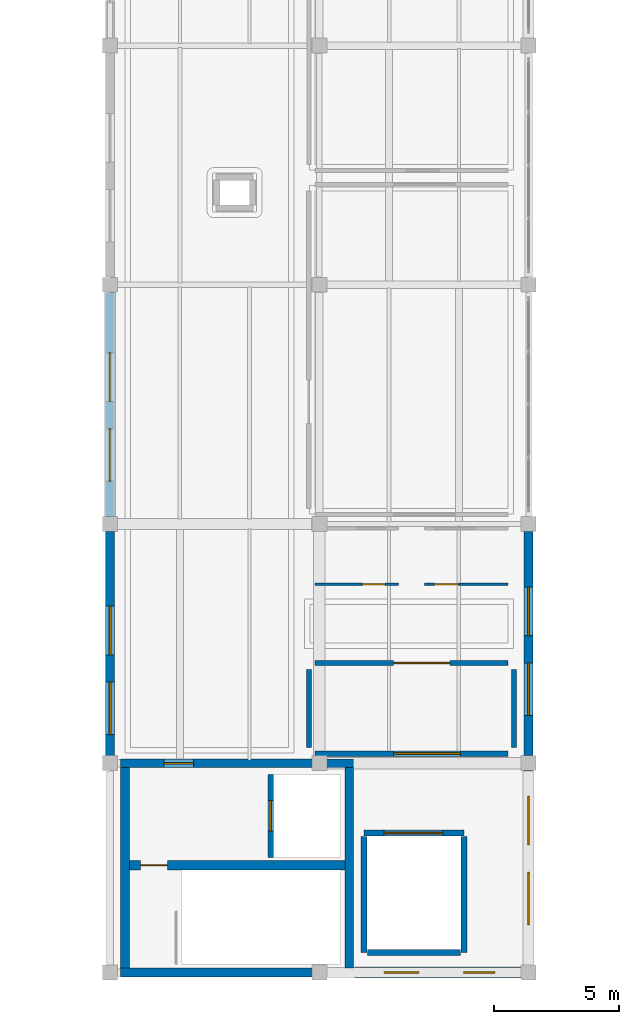
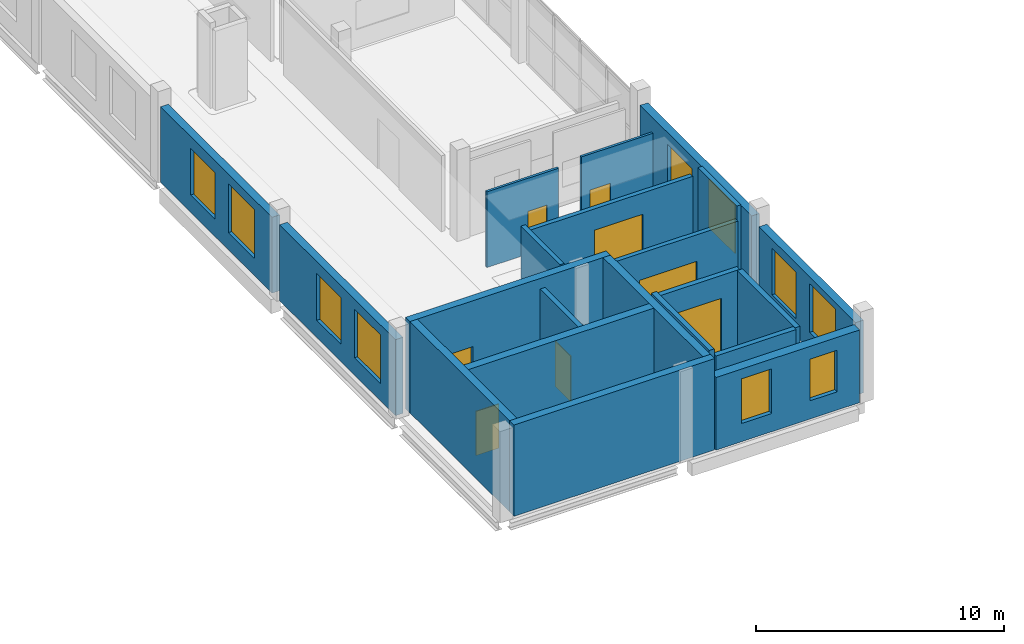
# One storey, part 49 of 54: 21 walls, 11 windows, 7 doors, 18 openings.
"""IFC4 building model written with IfcOpenShell, lengths in metres."""

from ifc_helpers import new_model, si_unit, direction, frame, frame_2d, origin, place, context, subcontext, project, spatial, rectangle, extrude, material, layer, layer_set, type_object, element, fill, save


model = new_model("IFC4")

# Units and contexts
model_context = context("Model", 3, precision=1e-05, world=origin(), true_north=direction((0.0, 1.0)))
body_context = subcontext(model_context, "Body", "Model", "MODEL_VIEW")
ifc_project = project(units=[si_unit("LENGTHUNIT", "METRE"), si_unit("AREAUNIT", "SQUARE_METRE"), si_unit("VOLUMEUNIT", "CUBIC_METRE"), si_unit("PLANEANGLEUNIT", "RADIAN"), si_unit("MASSUNIT", "GRAM", prefix="KILO")], contexts=[model_context])

# Site, building, storey
site_placement = place(None, origin())
site = spatial("IfcSite", under=ifc_project, at=site_placement, CompositionType="ELEMENT")
building_placement = place(site_placement, origin())
building = spatial("IfcBuilding", under=site, at=building_placement, Name="Zulmaris Art Gallery", CompositionType="ELEMENT")
storey_placement = place(building_placement, frame((0.0, 0.0, 26.39990234375)))
storey = spatial("IfcBuildingStorey", under=building, at=storey_placement, Name="L05", CompositionType="ELEMENT", Elevation=26.39990234375)

# Wall, openings, windows
ifc_material_1 = material(Name="Omani Cream Limestone Ashlar Masonry", Category="masonry")
ifc_layer_1 = layer(ifc_material_1, 0.43994140625)
ifc_layer_set_1 = layer_set([ifc_layer_1], Name="Omani Cream Limestone Ashlar Masonry")
wall_type_1 = type_object("IfcWallType", Name="ENV-WALL-EW01", PredefinedType="SOLIDWALL", material=ifc_layer_set_1)
wall_1_placement = place(storey_placement, frame((151.412109375, 13.199951171875, 0.0), z_axis=(0.0, 0.0, 1.0), x_axis=(1.0, 0.0, 0.0)))
wall_1 = element("IfcWall", 1, at=wall_1_placement, inside=storey, type_object=wall_type_1, Name="L05 V5 South Facade Bay 1", PredefinedType="SOLIDWALL", context=body_context, shape_type="SweptSolid", body=[
    extrude(rectangle(XDim=6.685791015625, YDim=0.43994140625, at=frame_2d((3.3427734375, 0.0))), origin(), (0.0, 0.0, 1.0), 3.580078125),
])
opening_1_placement = place(wall_1_placement, frame((1.18798828125, 0.0, 0.89990234375)))
opening_1 = element("IfcOpeningElement", 2, at=opening_1_placement, cuts=wall_1, Name="Opening W04", PredefinedType="OPENING", context=body_context, shape_type="SweptSolid", body=[
    extrude(rectangle(XDim=1.39990234375, YDim=2.199951171875, at=frame_2d((0.699951171875, 1.10009765625))), frame((0.0, 0.22998046875, 0.0), z_axis=(0.0, -1.0, 0.0), x_axis=(1.0, 0.0, 0.0)), (0.0, 0.0, 1.0), 0.4599609375),
])
opening_2_placement = place(wall_1_placement, frame((4.387939453125, 0.0, 0.89990234375)))
opening_2 = element("IfcOpeningElement", 3, at=opening_2_placement, cuts=wall_1, Name="Opening W10", PredefinedType="OPENING", context=body_context, shape_type="SweptSolid", body=[
    extrude(rectangle(XDim=1.25, YDim=2.050048828125, at=frame_2d((0.625, 1.02490234375))), frame((0.0, 0.22998046875, 0.0), z_axis=(0.0, -1.0, 0.0), x_axis=(1.0, 0.0, 0.0)), (0.0, 0.0, 1.0), 0.4599609375),
])
ifc_material_2 = material(Name="Deep-Reveal Limestone Slot Window", Category="masonry")
window_type_1 = type_object("IfcWindowType", Name="WIN-W04", PartitioningType="SINGLE_PANEL", PredefinedType="WINDOW", material=ifc_material_2)
window_1_placement = place(opening_1_placement, origin())
window_1 = element("IfcWindow", 4, at=window_1_placement, inside=storey, type_object=window_type_1, Name="L05 exterior window W04", OverallHeight=2.199951171875, OverallWidth=1.39990234375, PartitioningType="SINGLE_PANEL", PredefinedType="WINDOW", context=body_context, shape_type="SweptSolid", body=[
    extrude(rectangle(XDim=1.39990234375, YDim=2.199951171875, at=frame_2d((0.699951171875, 1.10009765625))), frame((0.0, 0.030029296875, 0.0), z_axis=(0.0, -1.0, 0.0), x_axis=(1.0, 0.0, 0.0)), (0.0, 0.0, 1.0), 0.06005859375),
])
fill(opening_1, window_1)
ifc_material_3 = material(Name="Limestone Deep-Set Lancet Window", Category="masonry")
window_type_2 = type_object("IfcWindowType", Name="WIN-W10", PartitioningType="SINGLE_PANEL", PredefinedType="WINDOW", material=ifc_material_3)
window_2_placement = place(opening_2_placement, origin())
window_2 = element("IfcWindow", 5, at=window_2_placement, inside=storey, type_object=window_type_2, Name="L05 exterior window W10", OverallHeight=2.050048828125, OverallWidth=1.25, PartitioningType="SINGLE_PANEL", PredefinedType="WINDOW", context=body_context, shape_type="SweptSolid", body=[
    extrude(rectangle(XDim=1.25, YDim=2.050048828125, at=frame_2d((0.625, 1.02490234375))), frame((0.0, 0.030029296875, 0.0), z_axis=(0.0, -1.0, 0.0), x_axis=(1.0, 0.0, 0.0)), (0.0, 0.0, 1.0), 0.06005859375),
])
fill(opening_2, window_2)

ifc_material_4 = material(Name="Honed Omani Travertine Insulated Wall", Category="masonry")
ifc_layer_2 = layer(ifc_material_4, 0.360107421875)
ifc_layer_set_2 = layer_set([ifc_layer_2], Name="Honed Omani Travertine Insulated Wall")
wall_type_2 = type_object("IfcWallType", Name="ENV-WALL-EW03", PredefinedType="SOLIDWALL", material=ifc_layer_set_2)
wall_2_placement = place(storey_placement, frame((158.39990234375, 13.501953125, 0.0), z_axis=(0.0, 0.0, 1.0), x_axis=(0.0, 1.0, 0.0)))
wall_2 = element("IfcWall", 6, at=wall_2_placement, inside=storey, type_object=wall_type_2, Name="L05 V5 Stepped East Studio Wall", PredefinedType="SOLIDWALL", context=body_context, shape_type="SweptSolid", body=[
    extrude(rectangle(XDim=7.796142578125, YDim=0.360107421875, at=frame_2d((3.89794921875, 0.0))), origin(), (0.0, 0.0, 1.0), 3.580078125),
])
opening_3_placement = place(wall_2_placement, frame((1.617919921875, 0.0, 0.85009765625)))
opening_3 = element("IfcOpeningElement", 7, at=opening_3_placement, cuts=wall_2, Name="Opening W03", PredefinedType="OPENING", context=body_context, shape_type="SweptSolid", body=[
    extrude(rectangle(XDim=2.10009765625, YDim=2.39990234375, at=frame_2d((1.050048828125, 1.199951171875))), frame((0.0, 0.18994140625, 0.0), z_axis=(0.0, -1.0, 0.0), x_axis=(1.0, 0.0, 0.0)), (0.0, 0.0, 1.0), 0.380126953125),
])
opening_4_placement = place(wall_2_placement, frame((4.818115234375, 0.0, 0.85009765625)))
opening_4 = element("IfcOpeningElement", 8, at=opening_4_placement, cuts=wall_2, Name="Opening W08", PredefinedType="OPENING", context=body_context, shape_type="SweptSolid", body=[
    extrude(rectangle(XDim=1.949951171875, YDim=2.300048828125, at=frame_2d((0.97509765625, 1.14990234375))), frame((0.0, 0.18994140625, 0.0), z_axis=(0.0, -1.0, 0.0), x_axis=(1.0, 0.0, 0.0)), (0.0, 0.0, 1.0), 0.380126953125),
])
ifc_material_5 = material(Name="Double-Glazed Bronze-Framed Studio Window", Category="glass")
window_type_3 = type_object("IfcWindowType", Name="WIN-W03", PartitioningType="SINGLE_PANEL", PredefinedType="WINDOW", material=ifc_material_5)
window_3_placement = place(opening_3_placement, origin())
window_3 = element("IfcWindow", 9, at=window_3_placement, inside=storey, type_object=window_type_3, Name="L05 exterior window W03", OverallHeight=2.39990234375, OverallWidth=2.10009765625, PartitioningType="SINGLE_PANEL", PredefinedType="WINDOW", context=body_context, shape_type="SweptSolid", body=[
    extrude(rectangle(XDim=2.10009765625, YDim=2.39990234375, at=frame_2d((1.050048828125, 1.199951171875))), frame((0.0, 0.030029296875, 0.0), z_axis=(0.0, -1.0, 0.0), x_axis=(1.0, 0.0, 0.0)), (0.0, 0.0, 1.0), 0.06005859375),
])
fill(opening_3, window_3)
ifc_material_6 = material(Name="Curatorial North Studio Window", Category="glass")
window_type_4 = type_object("IfcWindowType", Name="WIN-W08", PartitioningType="SINGLE_PANEL", PredefinedType="WINDOW", material=ifc_material_6)
window_4_placement = place(opening_4_placement, origin())
window_4 = element("IfcWindow", 10, at=window_4_placement, inside=storey, type_object=window_type_4, Name="L05 exterior window W08", OverallHeight=2.300048828125, OverallWidth=1.949951171875, PartitioningType="SINGLE_PANEL", PredefinedType="WINDOW", context=body_context, shape_type="SweptSolid", body=[
    extrude(rectangle(XDim=1.949951171875, YDim=2.300048828125, at=frame_2d((0.97509765625, 1.14990234375))), frame((0.0, 0.030029296875, 0.0), z_axis=(0.0, -1.0, 0.0), x_axis=(1.0, 0.0, 0.0)), (0.0, 0.0, 1.0), 0.06005859375),
])
fill(opening_4, window_4)

wall_3_placement = place(storey_placement, frame((158.39990234375, 21.902099609375, 0.0), z_axis=(0.0, 0.0, 1.0), x_axis=(0.0, 1.0, 0.0)))
wall_3 = element("IfcWall", 11, at=wall_3_placement, inside=storey, type_object=wall_type_2, Name="L05 V5 Stepped East Studio Wall", PredefinedType="SOLIDWALL", context=body_context, shape_type="SweptSolid", body=[
    extrude(rectangle(XDim=8.995849609375, YDim=0.360107421875, at=frame_2d((4.498046875, 0.0))), origin(), (0.0, 0.0, 1.0), 3.739990234375),
])
opening_5_placement = place(wall_3_placement, frame((1.617919921875, 0.0, 0.85009765625)))
opening_5 = element("IfcOpeningElement", 12, at=opening_5_placement, cuts=wall_3, Name="Opening W03", PredefinedType="OPENING", context=body_context, shape_type="SweptSolid", body=[
    extrude(rectangle(XDim=2.10009765625, YDim=2.39990234375, at=frame_2d((1.050048828125, 1.199951171875))), frame((0.0, 0.18994140625, 0.0), z_axis=(0.0, -1.0, 0.0), x_axis=(1.0, 0.0, 0.0)), (0.0, 0.0, 1.0), 0.380126953125),
])
opening_6_placement = place(wall_3_placement, frame((4.818115234375, 0.0, 0.85009765625)))
opening_6 = element("IfcOpeningElement", 13, at=opening_6_placement, cuts=wall_3, Name="Opening W08", PredefinedType="OPENING", context=body_context, shape_type="SweptSolid", body=[
    extrude(rectangle(XDim=1.949951171875, YDim=2.300048828125, at=frame_2d((0.97509765625, 1.14990234375))), frame((0.0, 0.18994140625, 0.0), z_axis=(0.0, -1.0, 0.0), x_axis=(1.0, 0.0, 0.0)), (0.0, 0.0, 1.0), 0.380126953125),
])
window_5_placement = place(opening_5_placement, origin())
window_5 = element("IfcWindow", 14, at=window_5_placement, inside=storey, type_object=window_type_3, Name="L05 exterior window W03", OverallHeight=2.39990234375, OverallWidth=2.10009765625, PartitioningType="SINGLE_PANEL", PredefinedType="WINDOW", context=body_context, shape_type="SweptSolid", body=[
    extrude(rectangle(XDim=2.10009765625, YDim=2.39990234375, at=frame_2d((1.050048828125, 1.199951171875))), frame((0.0, 0.030029296875, 0.0), z_axis=(0.0, -1.0, 0.0), x_axis=(1.0, 0.0, 0.0)), (0.0, 0.0, 1.0), 0.06005859375),
])
fill(opening_5, window_5)
window_6_placement = place(opening_6_placement, origin())
window_6 = element("IfcWindow", 15, at=window_6_placement, inside=storey, type_object=window_type_4, Name="L05 exterior window W08", OverallHeight=2.300048828125, OverallWidth=1.949951171875, PartitioningType="SINGLE_PANEL", PredefinedType="WINDOW", context=body_context, shape_type="SweptSolid", body=[
    extrude(rectangle(XDim=1.949951171875, YDim=2.300048828125, at=frame_2d((0.97509765625, 1.14990234375))), frame((0.0, 0.030029296875, 0.0), z_axis=(0.0, -1.0, 0.0), x_axis=(1.0, 0.0, 0.0)), (0.0, 0.0, 1.0), 0.06005859375),
])
fill(opening_6, window_6)

wall_4_placement = place(storey_placement, frame((141.60009765625, 21.550048828125, 0.0), z_axis=(0.0, 0.0, 1.0), x_axis=(0.0, 1.0, 0.0)))
wall_4 = element("IfcWall", 16, at=wall_4_placement, inside=storey, type_object=wall_type_2, Name="L05 V5 Upper West Overlook Facade", PredefinedType="SOLIDWALL", context=body_context, shape_type="SweptSolid", body=[
    extrude(rectangle(XDim=9.347900390625, YDim=0.360107421875, at=frame_2d((4.673828125, 0.0))), origin(), (0.0, 0.0, 1.0), 3.739990234375),
])
opening_7_placement = place(wall_4_placement, frame((1.199951171875, 0.0, 0.85009765625)))
opening_7 = element("IfcOpeningElement", 17, at=opening_7_placement, cuts=wall_4, Name="Opening W03", PredefinedType="OPENING", context=body_context, shape_type="SweptSolid", body=[
    extrude(rectangle(XDim=2.10009765625, YDim=2.39990234375, at=frame_2d((1.050048828125, 1.199951171875))), frame((0.0, 0.18994140625, 0.0), z_axis=(0.0, -1.0, 0.0), x_axis=(1.0, 0.0, 0.0)), (0.0, 0.0, 1.0), 0.380126953125),
])
opening_8_placement = place(wall_4_placement, frame((4.39990234375, 0.0, 0.85009765625)))
opening_8 = element("IfcOpeningElement", 18, at=opening_8_placement, cuts=wall_4, Name="Opening W08", PredefinedType="OPENING", context=body_context, shape_type="SweptSolid", body=[
    extrude(rectangle(XDim=1.949951171875, YDim=2.300048828125, at=frame_2d((0.97509765625, 1.14990234375))), frame((0.0, 0.18994140625, 0.0), z_axis=(0.0, -1.0, 0.0), x_axis=(1.0, 0.0, 0.0)), (0.0, 0.0, 1.0), 0.380126953125),
])
window_7_placement = place(opening_7_placement, origin())
window_7 = element("IfcWindow", 19, at=window_7_placement, inside=storey, type_object=window_type_3, Name="L05 exterior window W03", OverallHeight=2.39990234375, OverallWidth=2.10009765625, PartitioningType="SINGLE_PANEL", PredefinedType="WINDOW", context=body_context, shape_type="SweptSolid", body=[
    extrude(rectangle(XDim=2.10009765625, YDim=2.39990234375, at=frame_2d((1.050048828125, 1.199951171875))), frame((0.0, 0.030029296875, 0.0), z_axis=(0.0, -1.0, 0.0), x_axis=(1.0, 0.0, 0.0)), (0.0, 0.0, 1.0), 0.06005859375),
])
fill(opening_7, window_7)
window_8_placement = place(opening_8_placement, origin())
window_8 = element("IfcWindow", 20, at=window_8_placement, inside=storey, type_object=window_type_4, Name="L05 exterior window W08", OverallHeight=2.300048828125, OverallWidth=1.949951171875, PartitioningType="SINGLE_PANEL", PredefinedType="WINDOW", context=body_context, shape_type="SweptSolid", body=[
    extrude(rectangle(XDim=1.949951171875, YDim=2.300048828125, at=frame_2d((0.97509765625, 1.14990234375))), frame((0.0, 0.030029296875, 0.0), z_axis=(0.0, -1.0, 0.0), x_axis=(1.0, 0.0, 0.0)), (0.0, 0.0, 1.0), 0.06005859375),
])
fill(opening_8, window_8)

wall_5_placement = place(storey_placement, frame((141.60009765625, 31.501953125, 0.0), z_axis=(0.0, 0.0, 1.0), x_axis=(0.0, 1.0, 0.0)))
wall_5 = element("IfcWall", 21, at=wall_5_placement, inside=storey, type_object=wall_type_2, Name="L05 V5 Upper West Overlook Facade", PredefinedType="SOLIDWALL", context=body_context, shape_type="SweptSolid", body=[
    extrude(rectangle(XDim=8.99609375, YDim=0.360107421875, at=frame_2d((4.498046875, 0.0))), origin(), (0.0, 0.0, 1.0), 3.72998046875),
])
opening_9_placement = place(wall_5_placement, frame((1.41796875, 0.0, 0.85009765625)))
opening_9 = element("IfcOpeningElement", 22, at=opening_9_placement, cuts=wall_5, Name="Opening W03", PredefinedType="OPENING", context=body_context, shape_type="SweptSolid", body=[
    extrude(rectangle(XDim=2.10009765625, YDim=2.39990234375, at=frame_2d((1.050048828125, 1.199951171875))), frame((0.0, 0.18994140625, 0.0), z_axis=(0.0, -1.0, 0.0), x_axis=(1.0, 0.0, 0.0)), (0.0, 0.0, 1.0), 0.380126953125),
])
opening_10_placement = place(wall_5_placement, frame((4.617919921875, 0.0, 0.85009765625)))
opening_10 = element("IfcOpeningElement", 23, at=opening_10_placement, cuts=wall_5, Name="Opening W08", PredefinedType="OPENING", context=body_context, shape_type="SweptSolid", body=[
    extrude(rectangle(XDim=1.949951171875, YDim=2.300048828125, at=frame_2d((0.97509765625, 1.14990234375))), frame((0.0, 0.18994140625, 0.0), z_axis=(0.0, -1.0, 0.0), x_axis=(1.0, 0.0, 0.0)), (0.0, 0.0, 1.0), 0.380126953125),
])
window_9_placement = place(opening_9_placement, origin())
window_9 = element("IfcWindow", 24, at=window_9_placement, inside=storey, type_object=window_type_3, Name="L05 exterior window W03", OverallHeight=2.39990234375, OverallWidth=2.10009765625, PartitioningType="SINGLE_PANEL", PredefinedType="WINDOW", context=body_context, shape_type="SweptSolid", body=[
    extrude(rectangle(XDim=2.10009765625, YDim=2.39990234375, at=frame_2d((1.050048828125, 1.199951171875))), frame((0.0, 0.030029296875, 0.0), z_axis=(0.0, -1.0, 0.0), x_axis=(1.0, 0.0, 0.0)), (0.0, 0.0, 1.0), 0.06005859375),
])
fill(opening_9, window_9)
window_10_placement = place(opening_10_placement, origin())
window_10 = element("IfcWindow", 25, at=window_10_placement, inside=storey, type_object=window_type_4, Name="L05 exterior window W08", OverallHeight=2.300048828125, OverallWidth=1.949951171875, PartitioningType="SINGLE_PANEL", PredefinedType="WINDOW", context=body_context, shape_type="SweptSolid", body=[
    extrude(rectangle(XDim=1.949951171875, YDim=2.300048828125, at=frame_2d((0.97509765625, 1.14990234375))), frame((0.0, 0.030029296875, 0.0), z_axis=(0.0, -1.0, 0.0), x_axis=(1.0, 0.0, 0.0)), (0.0, 0.0, 1.0), 0.06005859375),
])
fill(opening_10, window_10)

# Wall, opening, door
ifc_material_7 = material(Name="Moisture-Resistant Tile-Backer Wet Wall", Category="gypsum")
ifc_layer_3 = layer(ifc_material_7, 0.114990234375)
ifc_layer_set_3 = layer_set([ifc_layer_3], Name="Moisture-Resistant Tile-Backer Wet Wall")
wall_type_3 = type_object("IfcWallType", Name="IWALL-PW02", PredefinedType="PARTITIONING", material=ifc_layer_set_3)
wall_6_placement = place(storey_placement, frame((149.830078125, 28.780029296875, 0.0), z_axis=(0.0, 0.0, 1.0), x_axis=(1.0, 0.0, 0.0)))
wall_6 = element("IfcWall", 26, at=wall_6_placement, inside=storey, type_object=wall_type_3, Name="Level 05 Male WC S partition", PredefinedType="PARTITIONING", context=body_context, shape_type="SweptSolid", body=[
    extrude(rectangle(XDim=3.33984375, YDim=0.114990234375, at=frame_2d((1.669921875, 0.0))), origin(), (0.0, 0.0, 1.0), 3.72998046875),
])
opening_11_placement = place(wall_6_placement, frame((1.89990234375, 0.0, 0.0)))
opening_11 = element("IfcOpeningElement", 27, at=opening_11_placement, cuts=wall_6, Name="Opening D01", PredefinedType="OPENING", context=body_context, shape_type="SweptSolid", body=[
    extrude(rectangle(XDim=0.89990234375, YDim=2.10009765625, at=frame_2d((0.449951171875, 1.050048828125))), frame((0.0, 0.0673828125, 0.0), z_axis=(0.0, -1.0, 0.0), x_axis=(1.0, 0.0, 0.0)), (0.0, 0.0, 1.0), 0.135009765625),
])
ifc_material_8 = material(Name="Moisture-Resistant WC Door", Category="timber")
door_type_1 = type_object("IfcDoorType", Name="IDOOR-D01", OperationType="NOTDEFINED", PredefinedType="DOOR", material=ifc_material_8)
door_1_placement = place(opening_11_placement, origin())
door_1 = element("IfcDoor", 28, at=door_1_placement, inside=storey, type_object=door_type_1, Name="Level 05 Male WC Door", OperationType="SINGLE_SWING_RIGHT", OverallHeight=2.10009765625, OverallWidth=0.89990234375, PredefinedType="DOOR", context=body_context, shape_type="SweptSolid", body=[
    extrude(rectangle(XDim=0.89990234375, YDim=2.10009765625, at=frame_2d((0.449951171875, 1.050048828125))), frame((0.0, 0.02490234375, 0.0), z_axis=(0.0, -1.0, 0.0), x_axis=(1.0, 0.0, 0.0)), (0.0, 0.0, 1.0), 0.050048828125),
])
fill(opening_11, door_1)

wall_7_placement = place(storey_placement, frame((154.22998046875, 28.780029296875, 0.0), z_axis=(0.0, 0.0, 1.0), x_axis=(1.0, 0.0, 0.0)))
wall_7 = element("IfcWall", 29, at=wall_7_placement, inside=storey, type_object=wall_type_3, Name="Level 05 Accessible WC S partition", PredefinedType="PARTITIONING", context=body_context, shape_type="SweptSolid", body=[
    extrude(rectangle(XDim=3.340087890625, YDim=0.114990234375, at=frame_2d((1.669921875, 0.0))), origin(), (0.0, 0.0, 1.0), 3.91015625),
])
opening_12_placement = place(wall_7_placement, frame((0.39990234375, 0.0, 0.0)))
opening_12 = element("IfcOpeningElement", 30, at=opening_12_placement, cuts=wall_7, Name="Opening D02", PredefinedType="OPENING", context=body_context, shape_type="SweptSolid", body=[
    extrude(rectangle(XDim=0.9599609375, YDim=2.139892578125, at=frame_2d((0.47998046875, 1.06982421875))), frame((0.0, 0.0673828125, 0.0), z_axis=(0.0, -1.0, 0.0), x_axis=(1.0, 0.0, 0.0)), (0.0, 0.0, 1.0), 0.135009765625),
])
ifc_material_9 = material(Name="Accessible WC Outward-Opening Door", Category="timber")
door_type_2 = type_object("IfcDoorType", Name="IDOOR-D02", OperationType="NOTDEFINED", PredefinedType="DOOR", material=ifc_material_9)
door_2_placement = place(opening_12_placement, origin())
door_2 = element("IfcDoor", 31, at=door_2_placement, inside=storey, type_object=door_type_2, Name="Level 05 Accessible WC Door", OperationType="SINGLE_SWING_LEFT", OverallHeight=2.139892578125, OverallWidth=0.9599609375, PredefinedType="DOOR", context=body_context, shape_type="SweptSolid", body=[
    extrude(rectangle(XDim=0.9599609375, YDim=2.139892578125, at=frame_2d((0.47998046875, 1.06982421875))), frame((0.0, 0.02490234375, 0.0), z_axis=(0.0, -1.0, 0.0), x_axis=(1.0, 0.0, 0.0)), (0.0, 0.0, 1.0), 0.050048828125),
])
fill(opening_12, door_2)

ifc_material_10 = material(Name="Fire-Rated Corridor Compartment Wall", Category="masonry")
ifc_layer_4 = layer(ifc_material_10, 0.205078125)
ifc_layer_set_4 = layer_set([ifc_layer_4], Name="Fire-Rated Corridor Compartment Wall")
wall_type_4 = type_object("IfcWallType", Name="IWALL-PW08", PredefinedType="PARTITIONING", material=ifc_layer_set_4)
wall_8_placement = place(storey_placement, frame((149.830078125, 25.6201171875, 0.0), z_axis=(0.0, 0.0, 1.0), x_axis=(1.0, 0.0, 0.0)))
wall_8 = element("IfcWall", 32, at=wall_8_placement, inside=storey, type_object=wall_type_4, Name="Upper Gallery Desiccant AHU Plant Room N partition", PredefinedType="PARTITIONING", context=body_context, shape_type="SweptSolid", body=[
    extrude(rectangle(XDim=7.739990234375, YDim=0.205078125, at=frame_2d((3.8701171875, 0.0))), origin(), (0.0, 0.0, 1.0), 3.72998046875),
])
opening_13_placement = place(wall_8_placement, frame((3.14990234375, 0.0, 0.0)))
opening_13 = element("IfcOpeningElement", 33, at=opening_13_placement, cuts=wall_8, Name="Opening D27", PredefinedType="OPENING", context=body_context, shape_type="SweptSolid", body=[
    extrude(rectangle(XDim=2.260009765625, YDim=2.679931640625, at=frame_2d((1.1298828125, 1.33984375))), frame((0.0, 0.112548828125, 0.0), z_axis=(0.0, -1.0, 0.0), x_axis=(1.0, 0.0, 0.0)), (0.0, 0.0, 1.0), 0.22509765625),
])
ifc_material_11 = material(Name="Belvedere Gallery Double Portal", Category="aluminium")
door_type_3 = type_object("IfcDoorType", Name="IDOOR-D27", OperationType="DOUBLE_SWING_LEFT", PredefinedType="DOOR", material=ifc_material_11)
door_3_placement = place(opening_13_placement, origin())
door_3 = element("IfcDoor", 34, at=door_3_placement, inside=storey, type_object=door_type_3, Name="Upper Gallery Desiccant AHU Plant Room Door", OperationType="DOUBLE_SWING_LEFT", OverallHeight=2.679931640625, OverallWidth=2.260009765625, PredefinedType="DOOR", context=body_context, shape_type="SweptSolid", body=[
    extrude(rectangle(XDim=2.260009765625, YDim=2.679931640625, at=frame_2d((1.1298828125, 1.33984375))), frame((0.0, 0.02490234375, 0.0), z_axis=(0.0, -1.0, 0.0), x_axis=(1.0, 0.0, 0.0)), (0.0, 0.0, 1.0), 0.050048828125),
])
fill(opening_13, door_3)

# Wall, opening, window
wall_9_placement = place(storey_placement, frame((149.830078125, 21.97998046875, 0.0), z_axis=(0.0, 0.0, 1.0), x_axis=(1.0, 0.0, 0.0)))
wall_9 = element("IfcWall", 35, at=wall_9_placement, inside=storey, type_object=wall_type_4, Name="Upper Gallery Desiccant AHU Plant Room S partition", PredefinedType="PARTITIONING", context=body_context, shape_type="SweptSolid", body=[
    extrude(rectangle(XDim=7.739990234375, YDim=0.205078125, at=frame_2d((3.8701171875, 0.0))), origin(), (0.0, 0.0, 1.0), 3.72998046875),
])
opening_14_placement = place(wall_9_placement, frame((3.14990234375, 0.0, 0.89990234375)))
opening_14 = element("IfcOpeningElement", 36, at=opening_14_placement, cuts=wall_9, Name="Opening IW07", PredefinedType="OPENING", context=body_context, shape_type="SweptSolid", body=[
    extrude(rectangle(XDim=2.679931640625, YDim=1.52001953125, at=frame_2d((1.33984375, 0.760009765625))), frame((0.0, 0.112548828125, 0.0), z_axis=(0.0, -1.0, 0.0), x_axis=(1.0, 0.0, 0.0)), (0.0, 0.0, 1.0), 0.22509765625),
])
ifc_material_12 = material(Name="Artists Salon Overlook Glazing", Category="glass")
window_type_5 = type_object("IfcWindowType", Name="IWIN-IW07", PartitioningType="SINGLE_PANEL", PredefinedType="WINDOW", material=ifc_material_12)
window_11_placement = place(opening_14_placement, origin())
window_11 = element("IfcWindow", 37, at=window_11_placement, inside=storey, type_object=window_type_5, Name="L05 interior observation window IW07", OverallHeight=1.52001953125, OverallWidth=2.679931640625, PartitioningType="SINGLE_PANEL", PredefinedType="WINDOW", context=body_context, shape_type="SweptSolid", body=[
    extrude(rectangle(XDim=2.679931640625, YDim=1.52001953125, at=frame_2d((1.33984375, 0.760009765625))), frame((0.0, 0.030029296875, 0.0), z_axis=(0.0, -1.0, 0.0), x_axis=(1.0, 0.0, 0.0)), (0.0, 0.0, 1.0), 0.06005859375),
])
fill(opening_14, window_11)

# Walls
for number, where, z_axis, x_axis, name in (
    (38, (149.580078125, 22.22998046875, 0.0), (0.0, 0.0, 1.0), (0.0, 1.0, 0.0), "Upper Gallery Desiccant AHU Plant Room W partition"),
    (39, (157.820068359375, 22.22998046875, 0.0), (0.0, 0.0, 1.0), (0.0, 1.0, 0.0), "Upper Gallery Desiccant AHU Plant Room E partition"),
):
    element("IfcWall", number, at=place(storey_placement, frame(where, z_axis=z_axis, x_axis=x_axis)), inside=storey, type_object=wall_type_4, Name=name, PredefinedType="PARTITIONING", context=body_context, shape_type="SweptSolid", body=[
        extrude(rectangle(XDim=3.14013671875, YDim=0.205078125, at=frame_2d((1.570068359375, 0.0))), origin(), (0.0, 0.0, 1.0), 4.2001953125),
    ])

# Wall, opening, door
ifc_material_13 = material(Name="Core Lobby Fire-Resisting Masonry Wall", Category="masonry")
ifc_layer_5 = layer(ifc_material_13, 0.235107421875)
ifc_layer_set_5 = layer_set([ifc_layer_5], Name="Core Lobby Fire-Resisting Masonry Wall")
wall_type_5 = type_object("IfcWallType", Name="IWALL-PW10", PredefinedType="PARTITIONING", material=ifc_layer_set_5)
wall_10_placement = place(storey_placement, frame((148.050048828125, 17.820068359375, 0.0), z_axis=(0.0, 0.0, 1.0), x_axis=(0.0, 1.0, 0.0)))
wall_10 = element("IfcWall", 40, at=wall_10_placement, inside=storey, type_object=wall_type_5, Name="LF-F2 L05 lift shaft front wall", PredefinedType="PARTITIONING", context=body_context, shape_type="SweptSolid", body=[
    extrude(rectangle(XDim=3.329833984375, YDim=0.235107421875, at=frame_2d((1.6650390625, 0.0))), origin(), (0.0, 0.0, 1.0), 4.2001953125),
])
opening_15_placement = place(wall_10_placement, frame((1.054931640625, 0.0, 0.0)))
opening_15 = element("IfcOpeningElement", 41, at=opening_15_placement, cuts=wall_10, Name="Opening LD02", PredefinedType="OPENING", context=body_context, shape_type="SweptSolid", body=[
    extrude(rectangle(XDim=1.219970703125, YDim=2.239990234375, at=frame_2d((0.60986328125, 1.1201171875))), frame((0.0, 0.12744140625, 0.0), z_axis=(0.0, -1.0, 0.0), x_axis=(1.0, 0.0, 0.0)), (0.0, 0.0, 1.0), 0.255126953125),
])
ifc_material_14 = material(Name="Firefighting Lift Sliding Landing Door", Category="steel")
door_type_4 = type_object("IfcDoorType", Name="IDOOR-LD02", OperationType="SLIDING_TO_RIGHT", PredefinedType="DOOR", material=ifc_material_14)
door_4_placement = place(opening_15_placement, origin())
door_4 = element("IfcDoor", 42, at=door_4_placement, inside=storey, type_object=door_type_4, Name="LF-F2 L05 Lift Landing Sliding Door", OperationType="SLIDING_TO_RIGHT", OverallHeight=2.239990234375, OverallWidth=1.219970703125, PredefinedType="DOOR", context=body_context, shape_type="SweptSolid", body=[
    extrude(rectangle(XDim=1.219970703125, YDim=2.239990234375, at=frame_2d((0.60986328125, 1.1201171875))), frame((0.0, 0.02490234375, 0.0), z_axis=(0.0, -1.0, 0.0), x_axis=(1.0, 0.0, 0.0)), (0.0, 0.0, 1.0), 0.050048828125),
])
fill(opening_15, door_4)

wall_11_placement = place(storey_placement, frame((151.800048828125, 18.800048828125, 0.0), z_axis=(0.0, 0.0, 1.0), x_axis=(1.0, 0.0, 0.0)))
wall_11 = element("IfcWall", 43, at=wall_11_placement, inside=storey, type_object=wall_type_5, Name="Goods Lift L05 north shaft wall", PredefinedType="PARTITIONING", context=body_context, shape_type="SweptSolid", body=[
    extrude(rectangle(XDim=4.0, YDim=0.235107421875, at=frame_2d((2.0, 0.0))), origin(), (0.0, 0.0, 1.0), 3.91015625),
])
opening_16_placement = place(wall_11_placement, frame((0.800048828125, 0.0, 0.0)))
opening_16 = element("IfcOpeningElement", 44, at=opening_16_placement, cuts=wall_11, Name="Opening LD03", PredefinedType="OPENING", context=body_context, shape_type="SweptSolid", body=[
    extrude(rectangle(XDim=2.360107421875, YDim=2.780029296875, at=frame_2d((1.18017578125, 1.39013671875))), frame((0.0, 0.12744140625, 0.0), z_axis=(0.0, -1.0, 0.0), x_axis=(1.0, 0.0, 0.0)), (0.0, 0.0, 1.0), 0.255126953125),
])
ifc_material_15 = material(Name="Goods Lift Oversize Sliding Landing Door", Category="steel")
door_type_5 = type_object("IfcDoorType", Name="IDOOR-LD03", OperationType="SLIDING_TO_LEFT", PredefinedType="DOOR", material=ifc_material_15)
door_5_placement = place(opening_16_placement, origin())
door_5 = element("IfcDoor", 45, at=door_5_placement, inside=storey, type_object=door_type_5, Name="Goods Lift LF-G1 L05 Sliding Landing Door", OperationType="SLIDING_TO_LEFT", OverallHeight=2.780029296875, OverallWidth=2.360107421875, PredefinedType="DOOR", context=body_context, shape_type="SweptSolid", body=[
    extrude(rectangle(XDim=2.360107421875, YDim=2.780029296875, at=frame_2d((1.18017578125, 1.39013671875))), frame((0.0, 0.02490234375, 0.0), z_axis=(0.0, -1.0, 0.0), x_axis=(1.0, 0.0, 0.0)), (0.0, 0.0, 1.0), 0.050048828125),
])
fill(opening_16, door_5)

# Walls
wall_12_placement = place(storey_placement, frame((151.800048828125, 14.0, 0.0), z_axis=(0.0, 0.0, 1.0), x_axis=(0.0, 1.0, 0.0)))
element("IfcWall", 46, at=wall_12_placement, inside=storey, type_object=wall_type_5, Name="Goods Lift L05 west shaft wall", PredefinedType="PARTITIONING", context=body_context, shape_type="SweptSolid", body=[
    extrude(rectangle(XDim=4.659912109375, YDim=0.235107421875, at=frame_2d((2.330078125, 0.0))), origin(), (0.0, 0.0, 1.0), 4.2001953125),
])
wall_13_placement = place(storey_placement, frame((155.800048828125, 14.0, 0.0), z_axis=(0.0, 0.0, 1.0), x_axis=(0.0, 1.0, 0.0)))
element("IfcWall", 47, at=wall_13_placement, inside=storey, type_object=wall_type_5, Name="Goods Lift L05 east shaft wall", PredefinedType="PARTITIONING", context=body_context, shape_type="SweptSolid", body=[
    extrude(rectangle(XDim=4.659912109375, YDim=0.235107421875, at=frame_2d((2.330078125, 0.0))), origin(), (0.0, 0.0, 1.0), 3.91015625),
])
wall_14_placement = place(storey_placement, frame((151.93994140625, 14.0, 0.0), z_axis=(0.0, 0.0, 1.0), x_axis=(1.0, 0.0, 0.0)))
element("IfcWall", 48, at=wall_14_placement, inside=storey, type_object=wall_type_5, Name="Goods Lift L05 south shaft wall", PredefinedType="PARTITIONING", context=body_context, shape_type="SweptSolid", body=[
    extrude(rectangle(XDim=3.719970703125, YDim=0.235107421875, at=frame_2d((1.85986328125, 0.0))), origin(), (0.0, 0.0, 1.0), 3.91015625),
])
ifc_material_16 = material(Name="Concrete C50/60", Category="concrete")
ifc_layer_6 = layer(ifc_material_16, 0.35009765625)
ifc_layer_set_6 = layer_set([ifc_layer_6], Name="Concrete C50/60")
wall_type_6 = type_object("IfcWallType", Name="STR-WALL-SW01", PredefinedType="SHEAR", material=ifc_layer_set_6)
wall_15_placement = place(storey_placement, frame((151.375, 13.199951171875, 0.0), z_axis=(0.0, 0.0, 1.0), x_axis=(-1.0, 0.0, 0.0)))
element("IfcWall", 49, at=wall_15_placement, inside=storey, type_object=wall_type_6, Name="Core C3 L05 S shear wall", PredefinedType="SHEAR", context=body_context, shape_type="SweptSolid", body=[
    extrude(rectangle(XDim=9.35009765625, YDim=0.35009765625, at=frame_2d((4.675048828125, 0.0))), origin(), (0.0, 0.0, 1.0), 4.5),
])

# Wall, opening, door
wall_16_placement = place(storey_placement, frame((142.02490234375, 21.60009765625, 0.0), z_axis=(0.0, 0.0, 1.0), x_axis=(1.0, 0.0, 0.0)))
wall_16 = element("IfcWall", 50, at=wall_16_placement, inside=storey, type_object=wall_type_6, Name="Core C3 L05 N shear wall", PredefinedType="SHEAR", context=body_context, shape_type="SweptSolid", body=[
    extrude(rectangle(XDim=9.35009765625, YDim=0.35009765625, at=frame_2d((4.675048828125, 0.0))), origin(), (0.0, 0.0, 1.0), 4.5),
])
opening_17_placement = place(wall_16_placement, frame((1.75, 0.0, 0.0)))
opening_17 = element("IfcOpeningElement", 51, at=opening_17_placement, cuts=wall_16, Name="Opening D08", PredefinedType="OPENING", context=body_context, shape_type="SweptSolid", body=[
    extrude(rectangle(XDim=1.179931640625, YDim=2.239990234375, at=frame_2d((0.58984375, 1.1201171875))), frame((0.0, 0.18505859375, 0.0), z_axis=(0.0, -1.0, 0.0), x_axis=(1.0, 0.0, 0.0)), (0.0, 0.0, 1.0), 0.3701171875),
])
ifc_material_17 = material(Name="Firefighting Lobby Compartment Door", Category="steel")
door_type_6 = type_object("IfcDoorType", Name="IDOOR-D08", OperationType="NOTDEFINED", PredefinedType="DOOR", material=ifc_material_17)
door_6_placement = place(opening_17_placement, origin())
door_6 = element("IfcDoor", 52, at=door_6_placement, inside=storey, type_object=door_type_6, Name="Core C3 L05 Lobby Compartment Door", OperationType="SINGLE_SWING_RIGHT", OverallHeight=2.239990234375, OverallWidth=1.179931640625, PredefinedType="DOOR", context=body_context, shape_type="SweptSolid", body=[
    extrude(rectangle(XDim=1.179931640625, YDim=2.239990234375, at=frame_2d((0.58984375, 1.1201171875))), frame((0.0, 0.02490234375, 0.0), z_axis=(0.0, -1.0, 0.0), x_axis=(1.0, 0.0, 0.0)), (0.0, 0.0, 1.0), 0.050048828125),
])
fill(opening_17, door_6)

# Walls
for number, where, z_axis, x_axis, name in (
    (53, (142.199951171875, 13.375, 0.0), (0.0, 0.0, 1.0), (0.0, 1.0, 0.0), "Core C3 L05 W shear wall"),
    (54, (151.199951171875, 13.375, 0.0), (0.0, 0.0, 1.0), (0.0, 1.0, 0.0), "Core C3 L05 E shear wall"),
):
    element("IfcWall", number, at=place(storey_placement, frame(where, z_axis=z_axis, x_axis=x_axis)), inside=storey, type_object=wall_type_6, Name=name, PredefinedType="SHEAR", context=body_context, shape_type="SweptSolid", body=[
        extrude(rectangle(XDim=8.050048828125, YDim=0.35009765625, at=frame_2d((4.02490234375, 0.0))), origin(), (0.0, 0.0, 1.0), 4.5),
    ])

# Wall, opening, door
ifc_layer_7 = layer(ifc_material_16, 0.3798828125)
ifc_layer_set_7 = layer_set([ifc_layer_7], Name="Concrete C50/60")
wall_type_7 = type_object("IfcWallType", Name="STR-WALL-SW02", PredefinedType="SHEAR", material=ifc_layer_set_7)
wall_17_placement = place(storey_placement, frame((142.375, 17.510009765625, 0.0), z_axis=(0.0, 0.0, 1.0), x_axis=(1.0, 0.0, 0.0)))
wall_17 = element("IfcWall", 55, at=wall_17_placement, inside=storey, type_object=wall_type_7, Name="Core C3 L05 DIV shear wall", PredefinedType="SHEAR", context=body_context, shape_type="SweptSolid", body=[
    extrude(rectangle(XDim=8.64990234375, YDim=0.3798828125, at=frame_2d((4.324951171875, 0.0))), origin(), (0.0, 0.0, 1.0), 4.5),
])
opening_18_placement = place(wall_17_placement, frame((0.449951171875, 0.0, 0.0)))
opening_18 = element("IfcOpeningElement", 56, at=opening_18_placement, cuts=wall_17, Name="Opening D07", PredefinedType="OPENING", context=body_context, shape_type="SweptSolid", body=[
    extrude(rectangle(XDim=1.080078125, YDim=2.179931640625, at=frame_2d((0.5400390625, 1.08984375))), frame((0.0, 0.199951171875, 0.0), z_axis=(0.0, -1.0, 0.0), x_axis=(1.0, 0.0, 0.0)), (0.0, 0.0, 1.0), 0.39990234375),
])
ifc_material_18 = material(Name="Stairwell Fire Escape Door", Category="steel")
door_type_7 = type_object("IfcDoorType", Name="IDOOR-D07", OperationType="NOTDEFINED", PredefinedType="DOOR", material=ifc_material_18)
door_7_placement = place(opening_18_placement, origin())
door_7 = element("IfcDoor", 57, at=door_7_placement, inside=storey, type_object=door_type_7, Name="Core C3 L05 Stair ST3 Fire Door", OperationType="SINGLE_SWING_LEFT", OverallHeight=2.179931640625, OverallWidth=1.080078125, PredefinedType="DOOR", context=body_context, shape_type="SweptSolid", body=[
    extrude(rectangle(XDim=1.080078125, YDim=2.179931640625, at=frame_2d((0.5400390625, 1.08984375))), frame((0.0, 0.02490234375, 0.0), z_axis=(0.0, -1.0, 0.0), x_axis=(1.0, 0.0, 0.0)), (0.0, 0.0, 1.0), 0.050048828125),
])
fill(opening_18, door_7)

save(model, "model.ifc")
